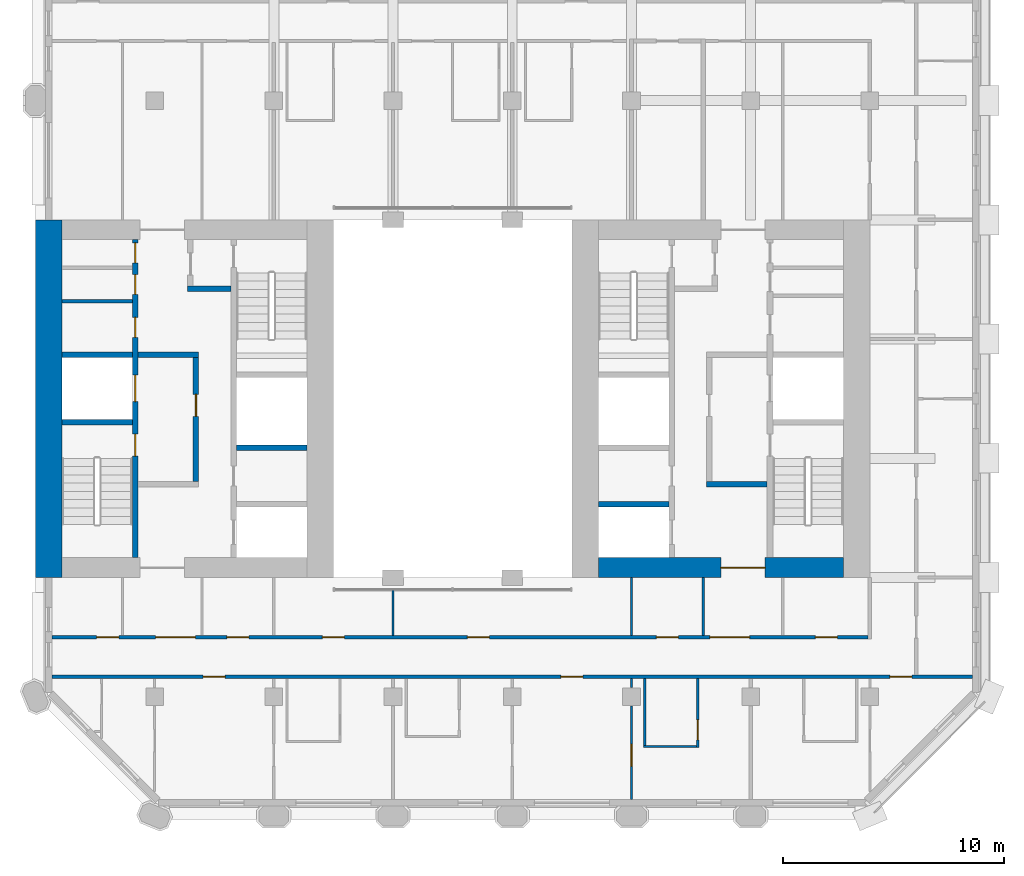
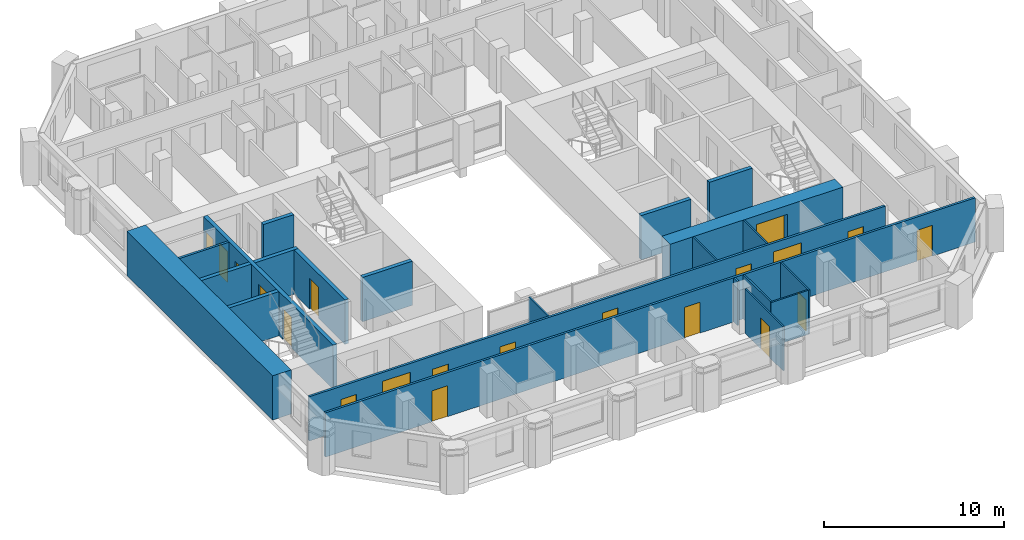
# One storey, part 5 of 13: 22 walls, 20 doors, 20 openings.
"""IFC4 building model written with IfcOpenShell, lengths in metres."""

from ifc_helpers import new_model, si_unit, direction, frame, frame_2d, origin, place, context, subcontext, project, spatial, rectangle, extrude, material, layer, layer_set, type_object, element, fill, save


model = new_model("IFC4")

# Units and contexts
model_context = context("Model", 3, precision=1e-05, world=origin(), true_north=direction((0.0, 1.0)))
body_context = subcontext(model_context, "Body", "Model", "MODEL_VIEW")
ifc_project = project(units=[si_unit("LENGTHUNIT", "METRE"), si_unit("AREAUNIT", "SQUARE_METRE"), si_unit("VOLUMEUNIT", "CUBIC_METRE"), si_unit("PLANEANGLEUNIT", "RADIAN"), si_unit("MASSUNIT", "GRAM", prefix="KILO")], contexts=[model_context])

# Site, building, storey
site_placement = place(None, origin())
site = spatial("IfcSite", under=ifc_project, at=site_placement, CompositionType="ELEMENT")
building_placement = place(site_placement, origin())
building = spatial("IfcBuilding", under=site, at=building_placement, Name="Tabaq Tower and Sports Hall", CompositionType="ELEMENT")
storey_placement = place(building_placement, frame((0.0, 0.0, 203.800048828125)))
storey = spatial("IfcBuildingStorey", under=building, at=storey_placement, Name="L50", CompositionType="ELEMENT", Elevation=203.800048828125)

# Walls
ifc_material_1 = material(Name="Blockwork", Category="masonry")
ifc_layer_1 = layer(ifc_material_1, 0.14990234375)
ifc_layer_set_1 = layer_set([ifc_layer_1], Name="Core room partition 150 Blockwork")
wall_type_1 = type_object("IfcWallType", Name="Core room partition 150 Blockwork", PredefinedType="PARTITIONING", material=ifc_layer_set_1)
wall_1_placement = place(storey_placement, frame((6.60009765625, 28.708984375, 0.0), z_axis=(0.0, 0.0, 1.0), x_axis=(1.0, 0.0, 0.0)))
element("IfcWall", 1, at=wall_1_placement, inside=storey, type_object=wall_type_1, Name="Core room partition W L50", PredefinedType="PARTITIONING", context=body_context, shape_type="SweptSolid", body=[
    extrude(rectangle(XDim=3.199951171875, YDim=0.14990234375, at=frame_2d((1.60009765625, 0.0))), origin(), (0.0, 0.0, 1.0), 3.0),
])
ifc_material_2 = material(Name="Concrete C50/60", Category="concrete")
ifc_layer_2 = layer(ifc_material_2, 1.199951171875)
ifc_layer_set_2 = layer_set([ifc_layer_2], Name="Core wall 1200 Concrete C50/60")
wall_type_2 = type_object("IfcWallType", Name="Core wall 1200 Concrete C50/60", PredefinedType="SOLIDWALL", material=ifc_layer_set_2)
wall_2_placement = place(storey_placement, frame((6.0, 16.199951171875, 0.0), z_axis=(0.0, 0.0, 1.0), x_axis=(0.0, 1.0, 0.0)))
element("IfcWall", 2, at=wall_2_placement, inside=storey, type_object=wall_type_2, Name="Core wall W L50", PredefinedType="SOLIDWALL", context=body_context, shape_type="SweptSolid", body=[
    extrude(rectangle(XDim=16.199951171875, YDim=1.199951171875, at=frame_2d((8.10009765625, 0.0))), origin(), (0.0, 0.0, 1.0), 3.0),
])

# Wall, opening, door
ifc_material_3 = material(Name="Concrete C50/60", Category="concrete")
ifc_layer_3 = layer(ifc_material_3, 0.89990234375)
ifc_layer_set_3 = layer_set([ifc_layer_3], Name="Core wall 900 Concrete C50/60")
wall_type_3 = type_object("IfcWallType", Name="Core wall 900 Concrete C50/60", PredefinedType="SOLIDWALL", material=ifc_layer_set_3)
wall_3_placement = place(storey_placement, frame((42.0, 16.64990234375, 0.0), z_axis=(0.0, 0.0, 1.0), x_axis=(-1.0, 0.0, 0.0)))
wall_3 = element("IfcWall", 3, at=wall_3_placement, inside=storey, type_object=wall_type_3, Name="Core wall E L50", PredefinedType="SOLIDWALL", context=body_context, shape_type="SweptSolid", body=[
    extrude(rectangle(XDim=11.10009765625, YDim=0.89990234375, at=frame_2d((5.550048828125, 0.0))), origin(), (0.0, 0.0, 1.0), 3.0),
])
opening_1_placement = place(wall_3_placement, frame((3.550048828125, 0.0, 0.0)))
opening_1 = element("IfcOpeningElement", 4, at=opening_1_placement, cuts=wall_3, Name="Opening PD-EL50-01", PredefinedType="OPENING", context=body_context, shape_type="SweptSolid", body=[
    extrude(rectangle(XDim=2.0, YDim=2.39990234375, at=frame_2d((1.0, 1.199951171875))), frame((0.0, 0.449951171875, 0.0), z_axis=(0.0, -1.0, 0.0), x_axis=(1.0, 0.0, 0.0)), (0.0, 0.0, 1.0), 0.89990234375),
])
ifc_material_4 = material(Name="Steel fire door", Category="steel")
door_type_1 = type_object("IfcDoorType", Name="Core entrance door 2000", OperationType="DOUBLE_DOOR_SINGLE_SWING", PredefinedType="DOOR", material=ifc_material_4)
door_1_placement = place(opening_1_placement, origin())
door_1 = element("IfcDoor", 5, at=door_1_placement, inside=storey, type_object=door_type_1, Name="Core entrance south E L50", OperationType="DOUBLE_DOOR_SINGLE_SWING", OverallHeight=2.39990234375, OverallWidth=2.0, PredefinedType="DOOR", context=body_context, shape_type="SweptSolid", body=[
    extrude(rectangle(XDim=2.0, YDim=2.39990234375, at=frame_2d((1.0, 1.199951171875))), frame((0.0, 0.02490234375, 0.0), z_axis=(0.0, -1.0, 0.0), x_axis=(1.0, 0.0, 0.0)), (0.0, 0.0, 1.0), 0.050048828125),
])
fill(opening_1, door_1)

ifc_material_5 = material(Name="Gypsum board on steel studs", Category="steel")
ifc_layer_4 = layer(ifc_material_5, 0.10009765625)
ifc_layer_set_4 = layer_set([ifc_layer_4], Name="Partition 100 Gypsum board")
wall_type_4 = type_object("IfcWallType", Name="Partition 100 Gypsum board", PredefinedType="PARTITIONING", material=ifc_layer_set_4)
wall_4_placement = place(storey_placement, frame((35.39990234375, 11.625, 0.0), z_axis=(0.0, 0.0, 1.0), x_axis=(0.0, -1.0, 0.0)))
wall_4 = element("IfcWall", 6, at=wall_4_placement, inside=storey, type_object=wall_type_4, Name="Partition wall L50", PredefinedType="PARTITIONING", context=body_context, shape_type="SweptSolid", body=[
    extrude(rectangle(XDim=3.125, YDim=0.10009765625, at=frame_2d((1.5625, 0.0))), origin(), (0.0, 0.0, 1.0), 3.0),
])
opening_2_placement = place(wall_4_placement, frame((1.875, 0.0, 0.0)))
opening_2 = element("IfcOpeningElement", 7, at=opening_2_placement, cuts=wall_4, Name="Opening L50-022", PredefinedType="OPENING", context=body_context, shape_type="SweptSolid", body=[
    extrude(rectangle(XDim=0.89990234375, YDim=2.10009765625, at=frame_2d((0.449951171875, 1.050048828125))), frame((0.0, 0.050048828125, 0.0), z_axis=(0.0, -1.0, 0.0), x_axis=(1.0, 0.0, 0.0)), (0.0, 0.0, 1.0), 0.10009765625),
])
ifc_material_6 = material(Name="Timber leaf in steel frame", Category="steel")
door_type_2 = type_object("IfcDoorType", Name="Internal door 900 right hand", OperationType="SINGLE_SWING_RIGHT", PredefinedType="DOOR", material=ifc_material_6)
door_2_placement = place(opening_2_placement, origin())
door_2 = element("IfcDoor", 8, at=door_2_placement, inside=storey, type_object=door_type_2, Name="Internal door L50-022", OperationType="SINGLE_SWING_RIGHT", OverallHeight=2.10009765625, OverallWidth=0.89990234375, PredefinedType="DOOR", context=body_context, shape_type="SweptSolid", body=[
    extrude(rectangle(XDim=0.89990234375, YDim=2.10009765625, at=frame_2d((0.449951171875, 1.050048828125))), frame((0.0, 0.02490234375, 0.0), z_axis=(0.0, -1.0, 0.0), x_axis=(1.0, 0.0, 0.0)), (0.0, 0.0, 1.0), 0.050048828125),
])
fill(opening_2, door_2)

# Walls
wall_5_placement = place(storey_placement, frame((35.35009765625, 8.550048828125, 0.0), z_axis=(0.0, 0.0, 1.0), x_axis=(-1.0, 0.0, 0.0)))
element("IfcWall", 9, at=wall_5_placement, inside=storey, type_object=wall_type_4, Name="Partition wall L50", PredefinedType="PARTITIONING", context=body_context, shape_type="SweptSolid", body=[
    extrude(rectangle(XDim=2.400146484375, YDim=0.10009765625, at=frame_2d((1.2001953125, 0.0))), origin(), (0.0, 0.0, 1.0), 3.0),
])
wall_6_placement = place(storey_placement, frame((33.0, 8.60009765625, 0.0), z_axis=(0.0, 0.0, 1.0), x_axis=(0.0, 1.0, 0.0)))
element("IfcWall", 10, at=wall_6_placement, inside=storey, type_object=wall_type_4, Name="Partition wall L50", PredefinedType="PARTITIONING", context=body_context, shape_type="SweptSolid", body=[
    extrude(rectangle(XDim=3.02490234375, YDim=0.10009765625, at=frame_2d((1.512451171875, 0.0))), origin(), (0.0, 0.0, 1.0), 3.0),
])
wall_7_placement = place(storey_placement, frame((32.39990234375, 11.625, 0.0), z_axis=(0.0, 0.0, 1.0), x_axis=(0.0, -1.0, 0.0)))
element("IfcWall", 11, at=wall_7_placement, inside=storey, type_object=wall_type_4, Name="Partition wall L50", PredefinedType="PARTITIONING", context=body_context, shape_type="SweptSolid", body=[
    extrude(rectangle(XDim=0.405029296875, YDim=0.10009765625, at=frame_2d((0.20263671875, 0.0))), origin(), (0.0, 0.0, 1.0), 3.0),
])

# Wall, opening, door
wall_8_placement = place(storey_placement, frame((32.39990234375, 10.3798828125, 0.0), z_axis=(0.0, 0.0, 1.0), x_axis=(0.0, -1.0, 0.0)))
wall_8 = element("IfcWall", 12, at=wall_8_placement, inside=storey, type_object=wall_type_4, Name="Partition wall L50", PredefinedType="PARTITIONING", context=body_context, shape_type="SweptSolid", body=[
    extrude(rectangle(XDim=4.22900390625, YDim=0.10009765625, at=frame_2d((2.114501953125, 0.0))), origin(), (0.0, 0.0, 1.0), 3.0),
])
opening_3_placement = place(wall_8_placement, frame((1.721923828125, 0.0, 0.0)))
opening_3 = element("IfcOpeningElement", 13, at=opening_3_placement, cuts=wall_8, Name="Opening L50-046", PredefinedType="OPENING", context=body_context, shape_type="SweptSolid", body=[
    extrude(rectangle(XDim=1.0, YDim=2.10009765625, at=frame_2d((0.5, 1.050048828125))), frame((0.0, 0.050048828125, 0.0), z_axis=(0.0, -1.0, 0.0), x_axis=(1.0, 0.0, 0.0)), (0.0, 0.0, 1.0), 0.10009765625),
])
ifc_material_7 = material(Name="Timber leaf in steel frame", Category="steel")
door_type_3 = type_object("IfcDoorType", Name="Internal door 1000 left hand", OperationType="SINGLE_SWING_LEFT", PredefinedType="DOOR", material=ifc_material_7)
door_3_placement = place(opening_3_placement, origin())
door_3 = element("IfcDoor", 14, at=door_3_placement, inside=storey, type_object=door_type_3, Name="Internal door L50-046", OperationType="SINGLE_SWING_LEFT", OverallHeight=2.10009765625, OverallWidth=1.0, PredefinedType="DOOR", context=body_context, shape_type="SweptSolid", body=[
    extrude(rectangle(XDim=1.0, YDim=2.10009765625, at=frame_2d((0.5, 1.050048828125))), frame((0.0, 0.02490234375, 0.0), z_axis=(0.0, -1.0, 0.0), x_axis=(1.0, 0.0, 0.0)), (0.0, 0.0, 1.0), 0.050048828125),
])
fill(opening_3, door_3)

# Walls
wall_9_placement = place(storey_placement, frame((21.60009765625, 13.574951171875, 0.0), z_axis=(0.0, 0.0, 1.0), x_axis=(0.0, 1.0, 0.0)))
element("IfcWall", 15, at=wall_9_placement, inside=storey, type_object=wall_type_4, Name="Partition wall L50", PredefinedType="PARTITIONING", context=body_context, shape_type="SweptSolid", body=[
    extrude(rectangle(XDim=2.130126953125, YDim=0.10009765625, at=frame_2d((1.06494140625, 0.0))), origin(), (0.0, 0.0, 1.0), 3.0),
])
for number, where, z_axis, x_axis, name in (
    (16, (32.39990234375, 13.574951171875, 0.0), (0.0, 0.0, 1.0), (0.0, 1.0, 0.0), "Partition wall L50"),
    (17, (35.64990234375, 16.199951171875, 0.0), (0.0, 0.0, 1.0), (0.0, -1.0, 0.0), "Partition wall L50"),
):
    element("IfcWall", number, at=place(storey_placement, frame(where, z_axis=z_axis, x_axis=x_axis)), inside=storey, type_object=wall_type_4, Name=name, PredefinedType="PARTITIONING", context=body_context, shape_type="SweptSolid", body=[
        extrude(rectangle(XDim=2.625, YDim=0.10009765625, at=frame_2d((1.3125, 0.0))), origin(), (0.0, 0.0, 1.0), 3.0),
    ])

# Wall, openings, doors
ifc_material_8 = material(Name="Blockwork", Category="masonry")
ifc_layer_5 = layer(ifc_material_8, 0.14990234375)
ifc_layer_set_5 = layer_set([ifc_layer_5], Name="Separating wall 150 Blockwork")
wall_type_5 = type_object("IfcWallType", Name="Separating wall 150 Blockwork", PredefinedType="PARTITIONING", material=ifc_layer_set_5)
wall_10_placement = place(storey_placement, frame((6.15087890625, 11.699951171875, 0.0), z_axis=(0.0, 0.0, 1.0), x_axis=(1.0, 0.0, 0.0)))
wall_10 = element("IfcWall", 18, at=wall_10_placement, inside=storey, type_object=wall_type_5, Name="Separating wall L50", PredefinedType="PARTITIONING", context=body_context, shape_type="SweptSolid", body=[
    extrude(rectangle(XDim=41.6982421875, YDim=0.14990234375, at=frame_2d((20.84912109375, 0.0))), origin(), (0.0, 0.0, 1.0), 3.0),
])
opening_4_placement = place(wall_10_placement, frame((37.9541015625, 0.0, 0.0)))
opening_4 = element("IfcOpeningElement", 19, at=opening_4_placement, cuts=wall_10, Name="Opening L50-048", PredefinedType="OPENING", context=body_context, shape_type="SweptSolid", body=[
    extrude(rectangle(XDim=1.0, YDim=2.10009765625, at=frame_2d((0.5, 1.050048828125))), frame((0.0, 0.074951171875, 0.0), z_axis=(0.0, -1.0, 0.0), x_axis=(1.0, 0.0, 0.0)), (0.0, 0.0, 1.0), 0.14990234375),
])
opening_5_placement = place(wall_10_placement, frame((6.84912109375, 0.0, 0.0)))
opening_5 = element("IfcOpeningElement", 20, at=opening_5_placement, cuts=wall_10, Name="Opening L50-052", PredefinedType="OPENING", context=body_context, shape_type="SweptSolid", body=[
    extrude(rectangle(XDim=1.0, YDim=2.10009765625, at=frame_2d((0.5, 1.050048828125))), frame((0.0, 0.074951171875, 0.0), z_axis=(0.0, -1.0, 0.0), x_axis=(1.0, 0.0, 0.0)), (0.0, 0.0, 1.0), 0.14990234375),
])
opening_6_placement = place(wall_10_placement, frame((23.049072265625, 0.0, 0.0)))
opening_6 = element("IfcOpeningElement", 21, at=opening_6_placement, cuts=wall_10, Name="Opening L50-053", PredefinedType="OPENING", context=body_context, shape_type="SweptSolid", body=[
    extrude(rectangle(XDim=1.0, YDim=2.10009765625, at=frame_2d((0.5, 1.050048828125))), frame((0.0, 0.074951171875, 0.0), z_axis=(0.0, -1.0, 0.0), x_axis=(1.0, 0.0, 0.0)), (0.0, 0.0, 1.0), 0.14990234375),
])
ifc_material_9 = material(Name="Steel fire door", Category="steel")
door_type_4 = type_object("IfcDoorType", Name="Entrance door 1000 left hand", OperationType="SINGLE_SWING_LEFT", PredefinedType="DOOR", material=ifc_material_9)
door_4_placement = place(opening_4_placement, origin())
door_4 = element("IfcDoor", 22, at=door_4_placement, inside=storey, type_object=door_type_4, Name="Entrance door L50-048", OperationType="SINGLE_SWING_LEFT", OverallHeight=2.10009765625, OverallWidth=1.0, PredefinedType="DOOR", context=body_context, shape_type="SweptSolid", body=[
    extrude(rectangle(XDim=1.0, YDim=2.10009765625, at=frame_2d((0.5, 1.050048828125))), frame((0.0, 0.02490234375, 0.0), z_axis=(0.0, -1.0, 0.0), x_axis=(1.0, 0.0, 0.0)), (0.0, 0.0, 1.0), 0.050048828125),
])
fill(opening_4, door_4)
door_5_placement = place(opening_6_placement, origin())
door_5 = element("IfcDoor", 23, at=door_5_placement, inside=storey, type_object=door_type_4, Name="Entrance door L50-053", OperationType="SINGLE_SWING_LEFT", OverallHeight=2.10009765625, OverallWidth=1.0, PredefinedType="DOOR", context=body_context, shape_type="SweptSolid", body=[
    extrude(rectangle(XDim=1.0, YDim=2.10009765625, at=frame_2d((0.5, 1.050048828125))), frame((0.0, 0.02490234375, 0.0), z_axis=(0.0, -1.0, 0.0), x_axis=(1.0, 0.0, 0.0)), (0.0, 0.0, 1.0), 0.050048828125),
])
fill(opening_6, door_5)
ifc_material_10 = material(Name="Steel fire door", Category="steel")
door_type_5 = type_object("IfcDoorType", Name="Entrance door 1000 right hand", OperationType="SINGLE_SWING_RIGHT", PredefinedType="DOOR", material=ifc_material_10)
door_6_placement = place(opening_5_placement, origin())
door_6 = element("IfcDoor", 24, at=door_6_placement, inside=storey, type_object=door_type_5, Name="Entrance door L50-052", OperationType="SINGLE_SWING_RIGHT", OverallHeight=2.10009765625, OverallWidth=1.0, PredefinedType="DOOR", context=body_context, shape_type="SweptSolid", body=[
    extrude(rectangle(XDim=1.0, YDim=2.10009765625, at=frame_2d((0.5, 1.050048828125))), frame((0.0, 0.02490234375, 0.0), z_axis=(0.0, -1.0, 0.0), x_axis=(1.0, 0.0, 0.0)), (0.0, 0.0, 1.0), 0.050048828125),
])
fill(opening_5, door_6)

wall_11_placement = place(storey_placement, frame((6.15087890625, 13.5, 0.0), z_axis=(0.0, 0.0, 1.0), x_axis=(1.0, 0.0, 0.0)))
wall_11 = element("IfcWall", 25, at=wall_11_placement, inside=storey, type_object=wall_type_5, Name="Separating wall L50", PredefinedType="PARTITIONING", context=body_context, shape_type="SweptSolid", body=[
    extrude(rectangle(XDim=36.97412109375, YDim=0.14990234375, at=frame_2d((18.487060546875, 0.0))), origin(), (0.0, 0.0, 1.0), 3.0),
])
opening_7_placement = place(wall_11_placement, frame((12.2490234375, 0.0, 0.0)))
opening_7 = element("IfcOpeningElement", 26, at=opening_7_placement, cuts=wall_11, Name="Opening L50-024", PredefinedType="OPENING", context=body_context, shape_type="SweptSolid", body=[
    extrude(rectangle(XDim=1.0, YDim=2.10009765625, at=frame_2d((0.5, 1.050048828125))), frame((0.0, 0.074951171875, 0.0), z_axis=(0.0, -1.0, 0.0), x_axis=(1.0, 0.0, 0.0)), (0.0, 0.0, 1.0), 0.14990234375),
])
opening_8_placement = place(wall_11_placement, frame((18.81591796875, 0.0, 0.0)))
opening_8 = element("IfcOpeningElement", 27, at=opening_8_placement, cuts=wall_11, Name="Opening L50-025", PredefinedType="OPENING", context=body_context, shape_type="SweptSolid", body=[
    extrude(rectangle(XDim=1.0, YDim=2.10009765625, at=frame_2d((0.5, 1.050048828125))), frame((0.0, 0.074951171875, 0.0), z_axis=(0.0, -1.0, 0.0), x_axis=(1.0, 0.0, 0.0)), (0.0, 0.0, 1.0), 0.14990234375),
])
opening_9_placement = place(wall_11_placement, frame((2.029052734375, 0.0, 0.0)))
opening_9 = element("IfcOpeningElement", 28, at=opening_9_placement, cuts=wall_11, Name="Opening L50-027", PredefinedType="OPENING", context=body_context, shape_type="SweptSolid", body=[
    extrude(rectangle(XDim=1.0, YDim=2.10009765625, at=frame_2d((0.5, 1.050048828125))), frame((0.0, 0.074951171875, 0.0), z_axis=(0.0, -1.0, 0.0), x_axis=(1.0, 0.0, 0.0)), (0.0, 0.0, 1.0), 0.14990234375),
])
opening_10_placement = place(wall_11_placement, frame((27.3740234375, 0.0, 0.0)))
opening_10 = element("IfcOpeningElement", 29, at=opening_10_placement, cuts=wall_11, Name="Opening L50-028", PredefinedType="OPENING", context=body_context, shape_type="SweptSolid", body=[
    extrude(rectangle(XDim=1.0, YDim=2.10009765625, at=frame_2d((0.5, 1.050048828125))), frame((0.0, 0.074951171875, 0.0), z_axis=(0.0, -1.0, 0.0), x_axis=(1.0, 0.0, 0.0)), (0.0, 0.0, 1.0), 0.14990234375),
])
opening_11_placement = place(wall_11_placement, frame((34.573974609375, 0.0, 0.0)))
opening_11 = element("IfcOpeningElement", 30, at=opening_11_placement, cuts=wall_11, Name="Opening L50-029", PredefinedType="OPENING", context=body_context, shape_type="SweptSolid", body=[
    extrude(rectangle(XDim=1.0, YDim=2.10009765625, at=frame_2d((0.5, 1.050048828125))), frame((0.0, 0.074951171875, 0.0), z_axis=(0.0, -1.0, 0.0), x_axis=(1.0, 0.0, 0.0)), (0.0, 0.0, 1.0), 0.14990234375),
])
opening_12_placement = place(wall_11_placement, frame((7.924072265625, 0.0, 0.0)))
opening_12 = element("IfcOpeningElement", 31, at=opening_12_placement, cuts=wall_11, Name="Opening L50-030", PredefinedType="OPENING", context=body_context, shape_type="SweptSolid", body=[
    extrude(rectangle(XDim=1.0, YDim=2.10009765625, at=frame_2d((0.5, 1.050048828125))), frame((0.0, 0.074951171875, 0.0), z_axis=(0.0, -1.0, 0.0), x_axis=(1.0, 0.0, 0.0)), (0.0, 0.0, 1.0), 0.14990234375),
])
opening_13_placement = place(wall_11_placement, frame((4.698974609375, 0.0, 0.0)))
opening_13 = element("IfcOpeningElement", 32, at=opening_13_placement, cuts=wall_11, Name="Opening L50-050", PredefinedType="OPENING", context=body_context, shape_type="SweptSolid", body=[
    extrude(rectangle(XDim=1.800048828125, YDim=2.39990234375, at=frame_2d((0.89990234375, 1.199951171875))), frame((0.0, 0.074951171875, 0.0), z_axis=(0.0, -1.0, 0.0), x_axis=(1.0, 0.0, 0.0)), (0.0, 0.0, 1.0), 0.14990234375),
])
opening_14_placement = place(wall_11_placement, frame((29.799072265625, 0.0, 0.0)))
opening_14 = element("IfcOpeningElement", 33, at=opening_14_placement, cuts=wall_11, Name="Opening L50-051", PredefinedType="OPENING", context=body_context, shape_type="SweptSolid", body=[
    extrude(rectangle(XDim=1.800048828125, YDim=2.39990234375, at=frame_2d((0.89990234375, 1.199951171875))), frame((0.0, 0.074951171875, 0.0), z_axis=(0.0, -1.0, 0.0), x_axis=(1.0, 0.0, 0.0)), (0.0, 0.0, 1.0), 0.14990234375),
])
door_7_placement = place(opening_9_placement, origin())
door_7 = element("IfcDoor", 34, at=door_7_placement, inside=storey, type_object=door_type_3, Name="Internal door L50-027", OperationType="SINGLE_SWING_LEFT", OverallHeight=2.10009765625, OverallWidth=1.0, PredefinedType="DOOR", context=body_context, shape_type="SweptSolid", body=[
    extrude(rectangle(XDim=1.0, YDim=2.10009765625, at=frame_2d((0.5, 1.050048828125))), frame((0.0, 0.02490234375, 0.0), z_axis=(0.0, -1.0, 0.0), x_axis=(1.0, 0.0, 0.0)), (0.0, 0.0, 1.0), 0.050048828125),
])
fill(opening_9, door_7)
door_8_placement = place(opening_10_placement, origin())
door_8 = element("IfcDoor", 35, at=door_8_placement, inside=storey, type_object=door_type_3, Name="Internal door L50-028", OperationType="SINGLE_SWING_LEFT", OverallHeight=2.10009765625, OverallWidth=1.0, PredefinedType="DOOR", context=body_context, shape_type="SweptSolid", body=[
    extrude(rectangle(XDim=1.0, YDim=2.10009765625, at=frame_2d((0.5, 1.050048828125))), frame((0.0, 0.02490234375, 0.0), z_axis=(0.0, -1.0, 0.0), x_axis=(1.0, 0.0, 0.0)), (0.0, 0.0, 1.0), 0.050048828125),
])
fill(opening_10, door_8)
ifc_material_11 = material(Name="Timber leaf in steel frame", Category="steel")
door_type_6 = type_object("IfcDoorType", Name="Internal door 1000 right hand", OperationType="SINGLE_SWING_RIGHT", PredefinedType="DOOR", material=ifc_material_11)
door_9_placement = place(opening_7_placement, origin())
door_9 = element("IfcDoor", 36, at=door_9_placement, inside=storey, type_object=door_type_6, Name="Internal door L50-024", OperationType="SINGLE_SWING_RIGHT", OverallHeight=2.10009765625, OverallWidth=1.0, PredefinedType="DOOR", context=body_context, shape_type="SweptSolid", body=[
    extrude(rectangle(XDim=1.0, YDim=2.10009765625, at=frame_2d((0.5, 1.050048828125))), frame((0.0, 0.02490234375, 0.0), z_axis=(0.0, -1.0, 0.0), x_axis=(1.0, 0.0, 0.0)), (0.0, 0.0, 1.0), 0.050048828125),
])
fill(opening_7, door_9)
door_10_placement = place(opening_8_placement, origin())
door_10 = element("IfcDoor", 37, at=door_10_placement, inside=storey, type_object=door_type_6, Name="Internal door L50-025", OperationType="SINGLE_SWING_RIGHT", OverallHeight=2.10009765625, OverallWidth=1.0, PredefinedType="DOOR", context=body_context, shape_type="SweptSolid", body=[
    extrude(rectangle(XDim=1.0, YDim=2.10009765625, at=frame_2d((0.5, 1.050048828125))), frame((0.0, 0.02490234375, 0.0), z_axis=(0.0, -1.0, 0.0), x_axis=(1.0, 0.0, 0.0)), (0.0, 0.0, 1.0), 0.050048828125),
])
fill(opening_8, door_10)
door_11_placement = place(opening_11_placement, origin())
door_11 = element("IfcDoor", 38, at=door_11_placement, inside=storey, type_object=door_type_6, Name="Internal door L50-029", OperationType="SINGLE_SWING_RIGHT", OverallHeight=2.10009765625, OverallWidth=1.0, PredefinedType="DOOR", context=body_context, shape_type="SweptSolid", body=[
    extrude(rectangle(XDim=1.0, YDim=2.10009765625, at=frame_2d((0.5, 1.050048828125))), frame((0.0, 0.02490234375, 0.0), z_axis=(0.0, -1.0, 0.0), x_axis=(1.0, 0.0, 0.0)), (0.0, 0.0, 1.0), 0.050048828125),
])
fill(opening_11, door_11)
door_12_placement = place(opening_12_placement, origin())
door_12 = element("IfcDoor", 39, at=door_12_placement, inside=storey, type_object=door_type_6, Name="Internal door L50-030", OperationType="SINGLE_SWING_RIGHT", OverallHeight=2.10009765625, OverallWidth=1.0, PredefinedType="DOOR", context=body_context, shape_type="SweptSolid", body=[
    extrude(rectangle(XDim=1.0, YDim=2.10009765625, at=frame_2d((0.5, 1.050048828125))), frame((0.0, 0.02490234375, 0.0), z_axis=(0.0, -1.0, 0.0), x_axis=(1.0, 0.0, 0.0)), (0.0, 0.0, 1.0), 0.050048828125),
])
fill(opening_12, door_12)
ifc_material_12 = material(Name="Timber leaf in steel frame", Category="steel")
door_type_7 = type_object("IfcDoorType", Name="Internal door 1800", OperationType="DOUBLE_DOOR_SINGLE_SWING", PredefinedType="DOOR", material=ifc_material_12)
door_13_placement = place(opening_13_placement, origin())
door_13 = element("IfcDoor", 40, at=door_13_placement, inside=storey, type_object=door_type_7, Name="Internal door L50-050", OperationType="DOUBLE_DOOR_SINGLE_SWING", OverallHeight=2.39990234375, OverallWidth=1.800048828125, PredefinedType="DOOR", context=body_context, shape_type="SweptSolid", body=[
    extrude(rectangle(XDim=1.800048828125, YDim=2.39990234375, at=frame_2d((0.89990234375, 1.199951171875))), frame((0.0, 0.02490234375, 0.0), z_axis=(0.0, -1.0, 0.0), x_axis=(1.0, 0.0, 0.0)), (0.0, 0.0, 1.0), 0.050048828125),
])
fill(opening_13, door_13)
door_14_placement = place(opening_14_placement, origin())
door_14 = element("IfcDoor", 41, at=door_14_placement, inside=storey, type_object=door_type_7, Name="Internal door L50-051", OperationType="DOUBLE_DOOR_SINGLE_SWING", OverallHeight=2.39990234375, OverallWidth=1.800048828125, PredefinedType="DOOR", context=body_context, shape_type="SweptSolid", body=[
    extrude(rectangle(XDim=1.800048828125, YDim=2.39990234375, at=frame_2d((0.89990234375, 1.199951171875))), frame((0.0, 0.02490234375, 0.0), z_axis=(0.0, -1.0, 0.0), x_axis=(1.0, 0.0, 0.0)), (0.0, 0.0, 1.0), 0.050048828125),
])
fill(opening_14, door_14)

ifc_material_13 = material(Name="Concrete C40/50", Category="concrete")
ifc_layer_6 = layer(ifc_material_13, 0.25)
ifc_layer_set_6 = layer_set([ifc_layer_6], Name="Shaft and stair wall 250 Concrete C40/50")
wall_type_6 = type_object("IfcWallType", Name="Shaft and stair wall 250 Concrete C40/50", PredefinedType="SOLIDWALL", material=ifc_layer_set_6)
wall_12_placement = place(storey_placement, frame((9.925048828125, 17.10009765625, 0.0), z_axis=(0.0, 0.0, 1.0), x_axis=(0.0, 1.0, 0.0)))
wall_12 = element("IfcWall", 42, at=wall_12_placement, inside=storey, type_object=wall_type_6, Name="Shaft wall W L50", PredefinedType="SOLIDWALL", context=body_context, shape_type="SweptSolid", body=[
    extrude(rectangle(XDim=14.39990234375, YDim=0.25, at=frame_2d((7.199951171875, 0.0))), origin(), (0.0, 0.0, 1.0), 3.0),
])
opening_15_placement = place(wall_12_placement, frame((4.60009765625, 0.0, 0.0)))
opening_15 = element("IfcOpeningElement", 43, at=opening_15_placement, cuts=wall_12, Name="Opening SD-WL50-03", PredefinedType="OPENING", context=body_context, shape_type="SweptSolid", body=[
    extrude(rectangle(XDim=1.0, YDim=2.10009765625, at=frame_2d((0.5, 1.050048828125))), frame((0.0, 0.125, 0.0), z_axis=(0.0, -1.0, 0.0), x_axis=(1.0, 0.0, 0.0)), (0.0, 0.0, 1.0), 0.25),
])
opening_16_placement = place(wall_12_placement, frame((7.0625, 0.0, 0.0)))
opening_16 = element("IfcOpeningElement", 44, at=opening_16_placement, cuts=wall_12, Name="Opening LD-FF1-L50", PredefinedType="OPENING", context=body_context, shape_type="SweptSolid", body=[
    extrude(rectangle(XDim=1.199951171875, YDim=2.10009765625, at=frame_2d((0.60009765625, 1.050048828125))), frame((0.0, 0.125, 0.0), z_axis=(0.0, -1.0, 0.0), x_axis=(1.0, 0.0, 0.0)), (0.0, 0.0, 1.0), 0.25),
])
opening_17_placement = place(wall_12_placement, frame((9.9794921875, 0.0, 0.0)))
opening_17 = element("IfcOpeningElement", 45, at=opening_17_placement, cuts=wall_12, Name="Opening RD-WL50-09", PredefinedType="OPENING", context=body_context, shape_type="SweptSolid", body=[
    extrude(rectangle(XDim=0.89990234375, YDim=2.10009765625, at=frame_2d((0.449951171875, 1.050048828125))), frame((0.0, 0.125, 0.0), z_axis=(0.0, -1.0, 0.0), x_axis=(1.0, 0.0, 0.0)), (0.0, 0.0, 1.0), 0.25),
])
opening_18_placement = place(wall_12_placement, frame((11.92041015625, 0.0, 0.0)))
opening_18 = element("IfcOpeningElement", 46, at=opening_18_placement, cuts=wall_12, Name="Opening RD-WL50-10", PredefinedType="OPENING", context=body_context, shape_type="SweptSolid", body=[
    extrude(rectangle(XDim=0.89990234375, YDim=2.10009765625, at=frame_2d((0.449951171875, 1.050048828125))), frame((0.0, 0.125, 0.0), z_axis=(0.0, -1.0, 0.0), x_axis=(1.0, 0.0, 0.0)), (0.0, 0.0, 1.0), 0.25),
])
opening_19_placement = place(wall_12_placement, frame((13.353515625, 0.0, 0.0)))
opening_19 = element("IfcOpeningElement", 47, at=opening_19_placement, cuts=wall_12, Name="Opening RD-WL50-11", PredefinedType="OPENING", context=body_context, shape_type="SweptSolid", body=[
    extrude(rectangle(XDim=0.89990234375, YDim=2.10009765625, at=frame_2d((0.449951171875, 1.050048828125))), frame((0.0, 0.125, 0.0), z_axis=(0.0, -1.0, 0.0), x_axis=(1.0, 0.0, 0.0)), (0.0, 0.0, 1.0), 0.25),
])
ifc_material_14 = material(Name="Steel fire door", Category="steel")
door_type_8 = type_object("IfcDoorType", Name="Core room door 900", OperationType="SINGLE_SWING_LEFT", PredefinedType="DOOR", material=ifc_material_14)
door_15_placement = place(opening_17_placement, origin())
door_15 = element("IfcDoor", 48, at=door_15_placement, inside=storey, type_object=door_type_8, Name="Door Unisex WC W L50", OperationType="SINGLE_SWING_LEFT", OverallHeight=2.10009765625, OverallWidth=0.89990234375, PredefinedType="DOOR", context=body_context, shape_type="SweptSolid", body=[
    extrude(rectangle(XDim=0.89990234375, YDim=2.10009765625, at=frame_2d((0.449951171875, 1.050048828125))), frame((0.0, 0.02490234375, 0.0), z_axis=(0.0, -1.0, 0.0), x_axis=(1.0, 0.0, 0.0)), (0.0, 0.0, 1.0), 0.050048828125),
])
fill(opening_17, door_15)
door_16_placement = place(opening_18_placement, origin())
door_16 = element("IfcDoor", 49, at=door_16_placement, inside=storey, type_object=door_type_8, Name="Door Accessible WC W L50", OperationType="SINGLE_SWING_LEFT", OverallHeight=2.10009765625, OverallWidth=0.89990234375, PredefinedType="DOOR", context=body_context, shape_type="SweptSolid", body=[
    extrude(rectangle(XDim=0.89990234375, YDim=2.10009765625, at=frame_2d((0.449951171875, 1.050048828125))), frame((0.0, 0.02490234375, 0.0), z_axis=(0.0, -1.0, 0.0), x_axis=(1.0, 0.0, 0.0)), (0.0, 0.0, 1.0), 0.050048828125),
])
fill(opening_18, door_16)
door_17_placement = place(opening_19_placement, origin())
door_17 = element("IfcDoor", 50, at=door_17_placement, inside=storey, type_object=door_type_8, Name="Door Electrical Riser Room W L50", OperationType="SINGLE_SWING_LEFT", OverallHeight=2.10009765625, OverallWidth=0.89990234375, PredefinedType="DOOR", context=body_context, shape_type="SweptSolid", body=[
    extrude(rectangle(XDim=0.89990234375, YDim=2.10009765625, at=frame_2d((0.449951171875, 1.050048828125))), frame((0.0, 0.02490234375, 0.0), z_axis=(0.0, -1.0, 0.0), x_axis=(1.0, 0.0, 0.0)), (0.0, 0.0, 1.0), 0.050048828125),
])
fill(opening_19, door_17)
ifc_material_15 = material(Name="Stainless steel", Category="steel")
door_type_9 = type_object("IfcDoorType", Name="Lift landing door 1200", OperationType="DOUBLE_DOOR_SLIDING", PredefinedType="DOOR", material=ifc_material_15)
door_18_placement = place(opening_16_placement, origin())
door_18 = element("IfcDoor", 51, at=door_18_placement, inside=storey, type_object=door_type_9, Name="Lift landing door FF1 W L50", OperationType="DOUBLE_DOOR_SLIDING", OverallHeight=2.10009765625, OverallWidth=1.199951171875, PredefinedType="DOOR", context=body_context, shape_type="SweptSolid", body=[
    extrude(rectangle(XDim=1.199951171875, YDim=2.10009765625, at=frame_2d((0.60009765625, 1.050048828125))), frame((0.0, 0.02490234375, 0.0), z_axis=(0.0, -1.0, 0.0), x_axis=(1.0, 0.0, 0.0)), (0.0, 0.0, 1.0), 0.050048828125),
])
fill(opening_16, door_18)
ifc_material_16 = material(Name="Steel fire door", Category="steel")
door_type_10 = type_object("IfcDoorType", Name="Stair door 1000", OperationType="SINGLE_SWING_LEFT", PredefinedType="DOOR", material=ifc_material_16)
door_19_placement = place(opening_15_placement, origin())
door_19 = element("IfcDoor", 52, at=door_19_placement, inside=storey, type_object=door_type_10, Name="Stair door ST1 W L50", OperationType="SINGLE_SWING_LEFT", OverallHeight=2.10009765625, OverallWidth=1.0, PredefinedType="DOOR", context=body_context, shape_type="SweptSolid", body=[
    extrude(rectangle(XDim=1.0, YDim=2.10009765625, at=frame_2d((0.5, 1.050048828125))), frame((0.0, 0.02490234375, 0.0), z_axis=(0.0, -1.0, 0.0), x_axis=(1.0, 0.0, 0.0)), (0.0, 0.0, 1.0), 0.050048828125),
])
fill(opening_15, door_19)

# Walls
for number, where, z_axis, x_axis, name in (
    (53, (6.60009765625, 23.22509765625, 0.0), (0.0, 0.0, 1.0), (1.0, 0.0, 0.0), "Stair enclosure wall W L50"),
    (54, (14.5, 22.074951171875, 0.0), (0.0, 0.0, 1.0), (1.0, 0.0, 0.0), "Shaft wall W L50"),
    (55, (6.60009765625, 26.300048828125, 0.0), (0.0, 0.0, 1.0), (1.0, 0.0, 0.0), "Shaft wall W L50"),
):
    element("IfcWall", number, at=place(storey_placement, frame(where, z_axis=z_axis, x_axis=x_axis)), inside=storey, type_object=wall_type_6, Name=name, PredefinedType="SOLIDWALL", context=body_context, shape_type="SweptSolid", body=[
        extrude(rectangle(XDim=3.199951171875, YDim=0.25, at=frame_2d((1.60009765625, 0.0))), origin(), (0.0, 0.0, 1.0), 3.0),
    ])
wall_13_placement = place(storey_placement, frame((10.050048828125, 26.300048828125, 0.0), z_axis=(0.0, 0.0, 1.0), x_axis=(1.0, 0.0, 0.0)))
element("IfcWall", 56, at=wall_13_placement, inside=storey, type_object=wall_type_6, Name="Fire-fighting lobby wall W L50", PredefinedType="SOLIDWALL", context=body_context, shape_type="SweptSolid", body=[
    extrude(rectangle(XDim=2.75, YDim=0.25, at=frame_2d((1.375, 0.0))), origin(), (0.0, 0.0, 1.0), 3.0),
])
wall_14_placement = place(storey_placement, frame((12.300048828125, 29.27490234375, 0.0), z_axis=(0.0, 0.0, 1.0), x_axis=(1.0, 0.0, 0.0)))
element("IfcWall", 57, at=wall_14_placement, inside=storey, type_object=wall_type_6, Name="Fire-fighting lobby wall W L50", PredefinedType="SOLIDWALL", context=body_context, shape_type="SweptSolid", body=[
    extrude(rectangle(XDim=1.949951171875, YDim=0.25, at=frame_2d((0.97509765625, 0.0))), origin(), (0.0, 0.0, 1.0), 3.0),
])

# Wall, opening, door
wall_15_placement = place(storey_placement, frame((12.675048828125, 20.550048828125, 0.0), z_axis=(0.0, 0.0, 1.0), x_axis=(0.0, 1.0, 0.0)))
wall_15 = element("IfcWall", 58, at=wall_15_placement, inside=storey, type_object=wall_type_6, Name="Fire-fighting lobby wall W L50", PredefinedType="SOLIDWALL", context=body_context, shape_type="SweptSolid", body=[
    extrude(rectangle(XDim=5.625, YDim=0.25, at=frame_2d((2.8125, 0.0))), origin(), (0.0, 0.0, 1.0), 3.0),
])
opening_20_placement = place(wall_15_placement, frame((2.949951171875, 0.0, 0.0)))
opening_20 = element("IfcOpeningElement", 59, at=opening_20_placement, cuts=wall_15, Name="Opening FD-WL50-04", PredefinedType="OPENING", context=body_context, shape_type="SweptSolid", body=[
    extrude(rectangle(XDim=1.0, YDim=2.10009765625, at=frame_2d((0.5, 1.050048828125))), frame((0.0, 0.125, 0.0), z_axis=(0.0, -1.0, 0.0), x_axis=(1.0, 0.0, 0.0)), (0.0, 0.0, 1.0), 0.25),
])
ifc_material_17 = material(Name="Steel fire door", Category="steel")
door_type_11 = type_object("IfcDoorType", Name="Fire-fighting lobby door 1000", OperationType="SINGLE_SWING_LEFT", PredefinedType="DOOR", material=ifc_material_17)
door_20_placement = place(opening_20_placement, origin())
door_20 = element("IfcDoor", 60, at=door_20_placement, inside=storey, type_object=door_type_11, Name="Fire-fighting lobby door W L50", OperationType="SINGLE_SWING_LEFT", OverallHeight=2.10009765625, OverallWidth=1.0, PredefinedType="DOOR", context=body_context, shape_type="SweptSolid", body=[
    extrude(rectangle(XDim=1.0, YDim=2.10009765625, at=frame_2d((0.5, 1.050048828125))), frame((0.0, 0.02490234375, 0.0), z_axis=(0.0, -1.0, 0.0), x_axis=(1.0, 0.0, 0.0)), (0.0, 0.0, 1.0), 0.050048828125),
])
fill(opening_20, door_20)

# Walls
wall_16_placement = place(storey_placement, frame((35.800048828125, 20.425048828125, 0.0), z_axis=(0.0, 0.0, 1.0), x_axis=(1.0, 0.0, 0.0)))
element("IfcWall", 61, at=wall_16_placement, inside=storey, type_object=wall_type_6, Name="Fire-fighting lobby wall E L50", PredefinedType="SOLIDWALL", context=body_context, shape_type="SweptSolid", body=[
    extrude(rectangle(XDim=2.75, YDim=0.25, at=frame_2d((1.375, 0.0))), origin(), (0.0, 0.0, 1.0), 3.0),
])
wall_17_placement = place(storey_placement, frame((30.89990234375, 19.52490234375, 0.0), z_axis=(0.0, 0.0, 1.0), x_axis=(1.0, 0.0, 0.0)))
element("IfcWall", 62, at=wall_17_placement, inside=storey, type_object=wall_type_6, Name="Shaft wall E L50", PredefinedType="SOLIDWALL", context=body_context, shape_type="SweptSolid", body=[
    extrude(rectangle(XDim=3.2001953125, YDim=0.25, at=frame_2d((1.60009765625, 0.0))), origin(), (0.0, 0.0, 1.0), 3.0),
])

save(model, "model.ifc")
